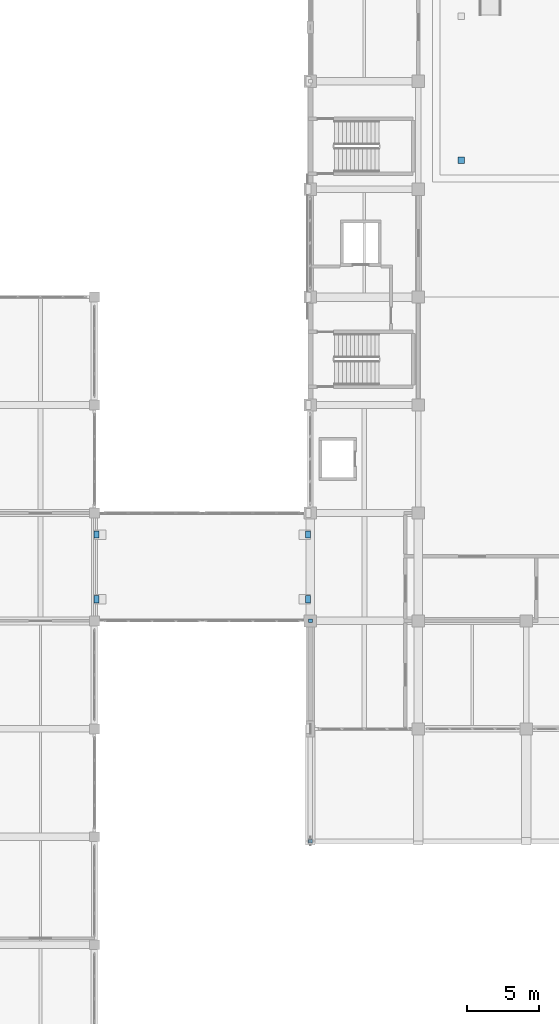
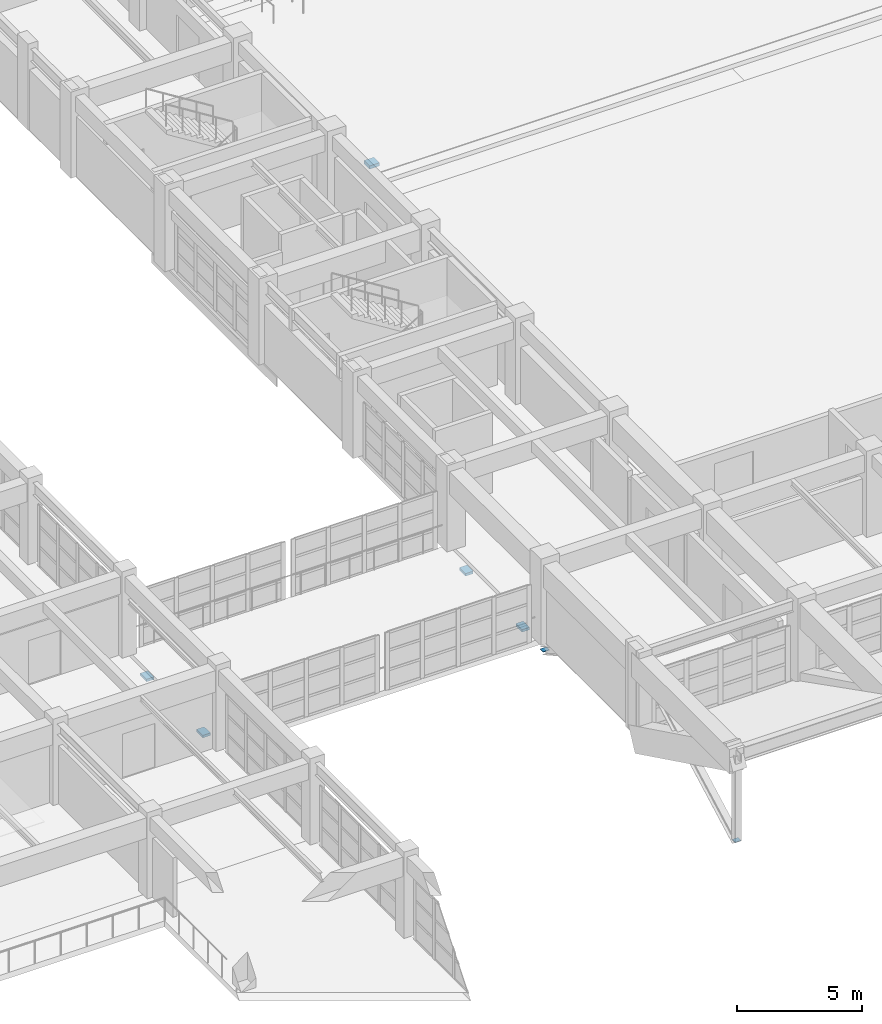
# One storey, part 112 of 132: 7 discrete accessories.
"""IFC4 building model written with IfcOpenShell, lengths in metres."""

from ifc_helpers import new_model, si_unit, direction, frame, origin, origin_2d, place, context, subcontext, project, spatial, rectangle, extrude, material, type_object, element, save


model = new_model("IFC4")

# Units and contexts
model_context = context("Model", 3, precision=1e-05, world=origin(), true_north=direction((0.0, 1.0)))
body_context = subcontext(model_context, "Body", "Model", "MODEL_VIEW")
ifc_project = project(units=[si_unit("LENGTHUNIT", "METRE"), si_unit("AREAUNIT", "SQUARE_METRE"), si_unit("VOLUMEUNIT", "CUBIC_METRE"), si_unit("PLANEANGLEUNIT", "RADIAN"), si_unit("MASSUNIT", "GRAM", prefix="KILO")], contexts=[model_context])

# Site, building, storey
site_placement = place(None, origin())
site = spatial("IfcSite", under=ifc_project, at=site_placement, CompositionType="ELEMENT")
building_placement = place(site_placement, origin())
building = spatial("IfcBuilding", under=site, at=building_placement, Name="Qasida Concert Hall", CompositionType="ELEMENT")
storey_placement = place(building_placement, frame((0.0, 0.0, 4.800048828125)))
storey = spatial("IfcBuildingStorey", under=building, at=storey_placement, Name="L01", CompositionType="ELEMENT", Elevation=4.800048828125)

# Discrete accessories
ifc_material = material(Name="Steel S355J2", Category="steel")
discrete_accessory_type_1 = type_object("IfcDiscreteAccessoryType", Name="ACC-CONN-S355", PredefinedType="BRACKET", material=ifc_material)
for number, where, z_axis, x_axis, name in (
    (1, (52.5, 14.699951171875, -0.612060546875), (0.0, 0.0, 1.0), (1.0, 0.0, 0.0), "Steel brace/strut end connection CN-0001"),
    (2, (52.5, 30.0, -0.612060546875), (0.0, 0.0, 1.0), (1.0, 0.0, 0.0), "Steel brace/strut end connection CN-0002"),
):
    element("IfcDiscreteAccessory", number, at=place(storey_placement, frame(where, z_axis=z_axis, x_axis=x_axis)), inside=storey, type_object=discrete_accessory_type_1, Name=name, PredefinedType="BRACKET", context=body_context, shape_type="SweptSolid", body=[
        extrude(rectangle(XDim=0.280029296875, YDim=0.239990234375, at=origin_2d()), origin(), (0.0, 0.0, 1.0), 0.02392578125),
    ])
discrete_accessory_type_2 = type_object("IfcDiscreteAccessoryType", Name="ACC-PTFE-SLIDE", PredefinedType="BRACKET", material=ifc_material)
for number, where, z_axis, x_axis, name in (
    (3, (37.64990234375, 31.5, -0.400146484375), (0.0, 0.0, 1.0), (1.0, 0.0, 0.0), "Seismic sliding bearing SB-PTFE-005"),
    (4, (37.64990234375, 36.0, -0.400146484375), (0.0, 0.0, 1.0), (1.0, 0.0, 0.0), "Seismic sliding bearing SB-PTFE-006"),
    (5, (52.35009765625, 31.5, -0.400146484375), (0.0, 0.0, 1.0), (1.0, 0.0, 0.0), "Seismic sliding bearing SB-PTFE-007"),
    (6, (52.35009765625, 36.0, -0.400146484375), (0.0, 0.0, 1.0), (1.0, 0.0, 0.0), "Seismic sliding bearing SB-PTFE-008"),
):
    element("IfcDiscreteAccessory", number, at=place(storey_placement, frame(where, z_axis=z_axis, x_axis=x_axis)), inside=storey, type_object=discrete_accessory_type_2, Name=name, PredefinedType="BRACKET", context=body_context, shape_type="SweptSolid", body=[
        extrude(rectangle(XDim=0.35009765625, YDim=0.5, at=origin_2d()), origin(), (0.0, 0.0, 1.0), 0.1201171875),
    ])
discrete_accessory_type_3 = type_object("IfcDiscreteAccessoryType", Name="ACC-SPRING-4HZ", PredefinedType="BRACKET", material=ifc_material)
discrete_accessory_placement = place(storey_placement, frame((63.0, 62.0, -0.080078125), z_axis=(0.0, 0.0, 1.0), x_axis=(1.0, 0.0, 0.0)))
element("IfcDiscreteAccessory", 7, at=discrete_accessory_placement, inside=storey, type_object=discrete_accessory_type_3, Name="Acoustic spring isolator ASI-010", PredefinedType="BRACKET", context=body_context, shape_type="SweptSolid", body=[
    extrude(rectangle(XDim=0.449951171875, YDim=0.449951171875, at=origin_2d()), origin(), (0.0, 0.0, 1.0), 0.159912109375),
])

save(model, "model.ifc")
